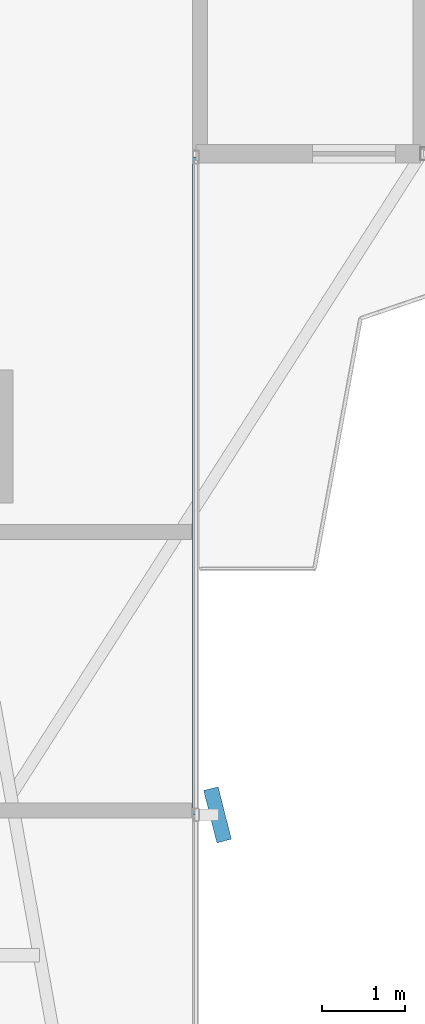
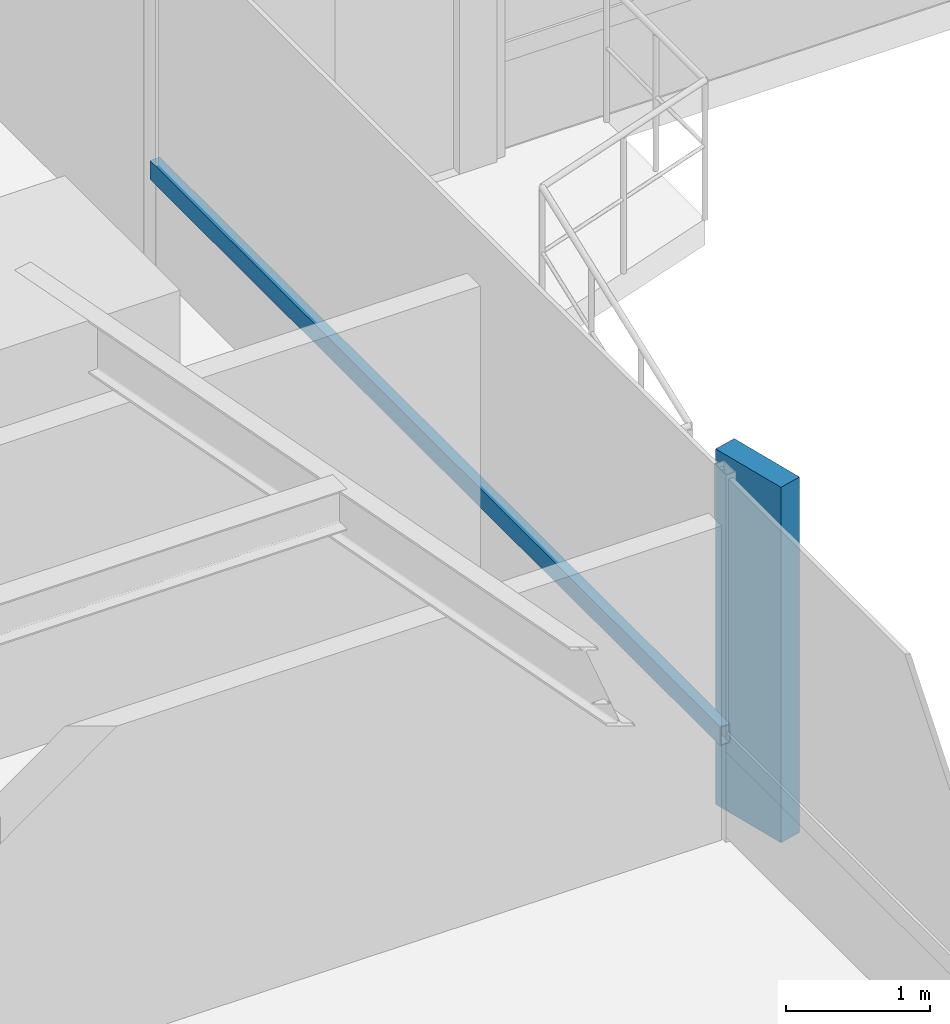
# One storey, part 5 of 26: 2 members, 1 element without a shape of its own.
"""IFC4 building model written with IfcOpenShell, lengths in metres."""

from ifc_helpers import new_model, si_unit, direction, frame, origin, origin_2d, place, context, subcontext, project, spatial, rectangle, hollow_rectangle, extrude, source, transform, mapped, material, material_profile, profile_set, type_object, element, aggregate, save


model = new_model("IFC4")

# Units and contexts
model_context = context("Model", 3, precision=1e-05, world=origin(), true_north=direction((0.0, 1.0)))
body_context = subcontext(model_context, "Body", "Model", "MODEL_VIEW")
ifc_project = project(units=[si_unit("LENGTHUNIT", "METRE"), si_unit("AREAUNIT", "SQUARE_METRE"), si_unit("VOLUMEUNIT", "CUBIC_METRE"), si_unit("PLANEANGLEUNIT", "RADIAN"), si_unit("MASSUNIT", "GRAM", prefix="KILO")], contexts=[model_context])

# Site, building, storey
site_placement = place(None, origin())
site = spatial("IfcSite", under=ifc_project, at=site_placement, CompositionType="ELEMENT")
building_placement = place(site_placement, origin())
building = spatial("IfcBuilding", under=site, at=building_placement, Name="Sahyath Konkavel Grand Hotel", CompositionType="ELEMENT")
storey_placement = place(building_placement, frame((0.0, 0.0, 51.050048828125)))
storey = spatial("IfcBuildingStorey", under=building, at=storey_placement, Name="L13", CompositionType="ELEMENT", Elevation=51.050048828125)

# Curtain wall, members
ifc_material_1 = material(Name="Anodised Bronze Aluminium & Low-E Glazing", Category="aluminium")
curtain_wall_type = type_object("IfcCurtainWallType", Name="CW-ZONE1", PredefinedType="NOTDEFINED", material=ifc_material_1)
curtain_wall_placement = place(storey_placement, origin())
curtain_wall = element("IfcCurtainWall", 1, at=curtain_wall_placement, inside=storey, type_object=curtain_wall_type, Name="L13 Unitised Curtain Wall F31", PredefinedType="NOTDEFINED")
ifc_material_2 = material(Name="Warm Buff Sandstone Cladding on Concrete C50/60", Category="masonry")
ifc_material_profile_1 = material_profile(ifc_material_2, rectangle(XDim=0.179931640625, YDim=0.64990234375, at=origin_2d()), Name="FIN 180x650")
ifc_profile_set_1 = profile_set([ifc_material_profile_1], Name="Warm Buff Sandstone Cladding on Concrete C50/60")
member_type_1 = type_object("IfcMemberType", Name="FIN-SANDSTONE-650", PredefinedType="MULLION", material=ifc_profile_set_1)
shared_shape_1 = source(origin(), body_context, "Body", "SweptSolid", [
    extrude(rectangle(XDim=0.179931640625, YDim=0.64990234375, at=origin_2d()), origin(), (0.0, 0.0, 1.0), 3.010009765625),
])
member_1_placement = place(storey_placement, frame((7.06005859375, -14.75, 0.050048828125), z_axis=(0.0, 0.0, 1.0), x_axis=(0.969359662404, 0.245645771192, 0.0)))
member_1 = element("IfcMember", 2, at=member_1_placement, type_object=member_type_1, Name="L13 Sandstone Vertical Solar Fin FIN F31-1", PredefinedType="MULLION", context=body_context, shape_type="MappedRepresentation", body=[
    mapped(shared_shape_1, transform((0.0, 0.0, 0.0), scale=1.0)),
])
ifc_material_3 = material(Name="Anodised Bronze Aluminium", Category="aluminium")
ifc_material_profile_2 = material_profile(ifc_material_3, hollow_rectangle(XDim=0.080078125, YDim=0.159912109375, WallThickness=0.006103515625, at=origin_2d()), Name="RHS 160x80x6")
ifc_profile_set_2 = profile_set([ifc_material_profile_2], Name="Anodised Bronze Aluminium")
member_type_2 = type_object("IfcMemberType", Name="CW-TRN-160", PredefinedType="USERDEFINED", material=ifc_profile_set_2)
shared_shape_2 = source(origin(), body_context, "Body", "SweptSolid", [
    extrude(hollow_rectangle(XDim=0.080078125, YDim=0.159912109375, WallThickness=0.006103515625, at=origin_2d()), origin(), (0.0, 0.0, 1.0), 7.909912109375),
])
member_2_placement = place(storey_placement, frame((6.800048828125, -14.75, 0.849853515625), z_axis=(0.0, 1.0, 0.0), x_axis=(-1.0, 0.0, 0.0)))
member_2 = element("IfcMember", 3, at=member_2_placement, type_object=member_type_2, Name="L13 Curtain Wall Transom F31-1-spandrel", ObjectType="TRANSOM", PredefinedType="USERDEFINED", context=body_context, shape_type="MappedRepresentation", body=[
    mapped(shared_shape_2, transform((0.0, 0.0, 0.0), scale=1.0)),
])
aggregate(curtain_wall, [member_1, member_2])

save(model, "model.ifc")
